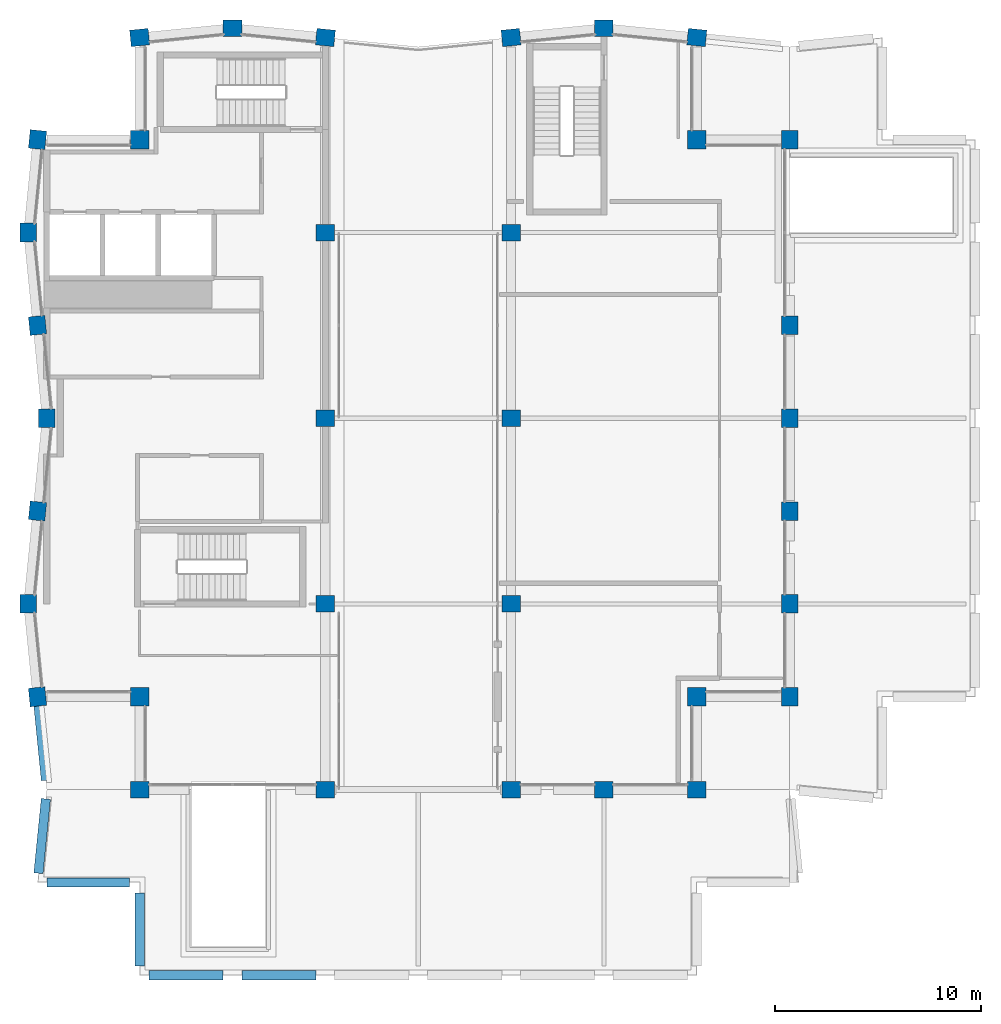
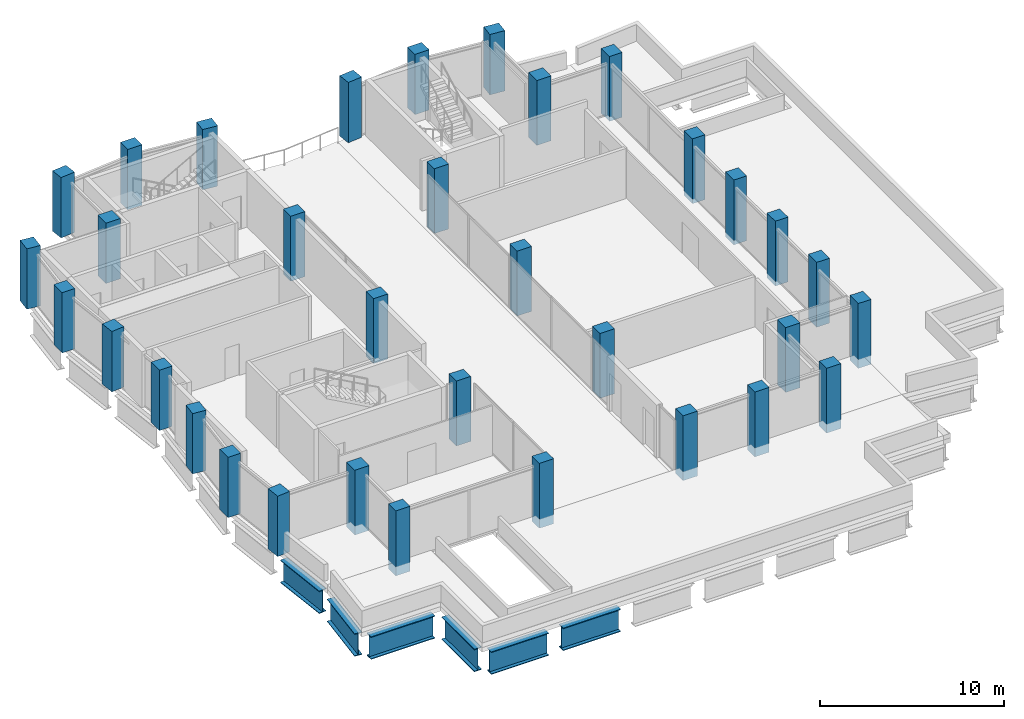
# One storey, part 1 of 14: 34 columns, 6 beams.
"""IFC4 building model written with IfcOpenShell, lengths in metres."""

from ifc_helpers import new_model, si_unit, direction, frame, origin, origin_2d, place, context, subcontext, project, spatial, rectangle, i_section, extrude, material, material_profile, profile_set, type_object, element, save


model = new_model("IFC4")

# Units and contexts
model_context = context("Model", 3, precision=1e-05, world=origin(), true_north=direction((0.0, 1.0)))
body_context = subcontext(model_context, "Body", "Model", "MODEL_VIEW")
ifc_project = project(units=[si_unit("LENGTHUNIT", "METRE"), si_unit("AREAUNIT", "SQUARE_METRE"), si_unit("VOLUMEUNIT", "CUBIC_METRE"), si_unit("PLANEANGLEUNIT", "RADIAN"), si_unit("MASSUNIT", "GRAM", prefix="KILO")], contexts=[model_context])

# Site, building, storey
site_placement = place(None, origin())
site = spatial("IfcSite", under=ifc_project, at=site_placement, CompositionType="ELEMENT")
building_placement = place(site_placement, origin())
building = spatial("IfcBuilding", under=site, at=building_placement, Name="Brondeck Convention Tower", CompositionType="ELEMENT")
storey_placement = place(building_placement, frame((0.0, 0.0, 282.800048828125)))
storey = spatial("IfcBuildingStorey", under=building, at=storey_placement, Name="L70", CompositionType="ELEMENT", Elevation=282.800048828125)

# Columns
ifc_material_1 = material(Name="Concrete C50/60", Category="concrete")
ifc_material_profile_1 = material_profile(ifc_material_1, rectangle(XDim=0.89990234375, YDim=0.89990234375, at=origin_2d()), Name="Corner column 900x900 Concrete C50/60")
ifc_profile_set_1 = profile_set([ifc_material_profile_1], Name="Concrete C50/60")
column_type_1 = type_object("IfcColumnType", Name="Corner column 900x900 Concrete C50/60", PredefinedType="COLUMN", material=ifc_profile_set_1)
column_1_placement = place(storey_placement, frame((4.5, 31.5, -0.300048828125), z_axis=(0.0, 0.0, 1.0), x_axis=(1.0, 0.0, 0.0)))
element("IfcColumn", 1, at=column_1_placement, inside=storey, type_object=column_type_1, Name="STR-COL-L70-NC-KSW", PredefinedType="COLUMN", context=body_context, shape_type="SweptSolid", body=[
    extrude(rectangle(XDim=0.89990234375, YDim=0.89990234375, at=origin_2d()), origin(), (0.0, 0.0, 1.0), 4.300048828125),
])
column_2_placement = place(storey_placement, frame((4.5, 58.5, 0.0), z_axis=(0.0, 0.0, 1.0), x_axis=(1.0, 0.0, 0.0)))
element("IfcColumn", 2, at=column_2_placement, inside=storey, type_object=column_type_1, Name="STR-COL-L70-NC-NW", PredefinedType="COLUMN", context=body_context, shape_type="SweptSolid", body=[
    extrude(rectangle(XDim=0.89990234375, YDim=0.89990234375, at=origin_2d()), origin(), (0.0, 0.0, 1.0), 4.0),
])
for number, where, z_axis, x_axis, name in (
    (3, (31.5, 31.5, -0.300048828125), (0.0, 0.0, 1.0), (1.0, 0.0, 0.0), "STR-COL-L70-NC-KSE"),
    (4, (31.5, 58.5, -0.300048828125), (0.0, 0.0, 1.0), (1.0, 0.0, 0.0), "STR-COL-L70-NC-KNE"),
):
    element("IfcColumn", number, at=place(storey_placement, frame(where, z_axis=z_axis, x_axis=x_axis)), inside=storey, type_object=column_type_1, Name=name, PredefinedType="COLUMN", context=body_context, shape_type="SweptSolid", body=[
        extrude(rectangle(XDim=0.89990234375, YDim=0.89990234375, at=origin_2d()), origin(), (0.0, 0.0, 1.0), 4.300048828125),
    ])
ifc_material_profile_2 = material_profile(ifc_material_1, rectangle(XDim=0.89990234375, YDim=0.800048828125, at=origin_2d()), Name="Crown pier 900x800 Concrete C50/60")
ifc_profile_set_2 = profile_set([ifc_material_profile_2], Name="Concrete C50/60")
column_type_2 = type_object("IfcColumnType", Name="Crown pier 900x800 Concrete C50/60", PredefinedType="COLUMN", material=ifc_profile_set_2)
for number, where, z_axis, x_axis, name in (
    (5, (4.5, 27.0, -0.300048828125), (0.0, 0.0, 1.0), (1.0, 0.0, 0.0), "STR-COL-L70-PC-K-S-01"),
    (6, (13.5, 27.0, -0.300048828125), (0.0, 0.0, 1.0), (1.0, 0.0, 0.0), "STR-COL-L70-PC-K-S-03"),
    (7, (13.5, 36.0, -0.300048828125), (0.0, 0.0, 1.0), (1.0, 0.0, 0.0), "STR-COL-L70-PC-SLOT-W-01"),
    (8, (13.5, 45.0, -0.300048828125), (0.0, 0.0, 1.0), (1.0, 0.0, 0.0), "STR-COL-L70-PC-SLOT-W-02"),
    (9, (13.5, 54.0, -0.300048828125), (0.0, 0.0, 1.0), (1.0, 0.0, 0.0), "STR-COL-L70-PC-SLOT-W-03"),
):
    element("IfcColumn", number, at=place(storey_placement, frame(where, z_axis=z_axis, x_axis=x_axis)), inside=storey, type_object=column_type_2, Name=name, PredefinedType="COLUMN", context=body_context, shape_type="SweptSolid", body=[
        extrude(rectangle(XDim=0.89990234375, YDim=0.800048828125, at=origin_2d()), origin(), (0.0, 0.0, 1.0), 4.300048828125),
    ])
for number, where, z_axis, x_axis, name in (
    (10, (13.5, 63.449951171875, 0.0), (0.0, 0.0, 1.0), (-0.995037178292, 0.0995038382, 0.0), "STR-COL-L70-PC-A-N-03"),
    (11, (9.0, 63.89990234375, 0.0), (0.0, 0.0, 1.0), (-1.0, 0.0, 0.0), "STR-COL-L70-PC-A-N-02"),
    (12, (4.5, 63.449951171875, 0.0), (0.0, 0.0, 1.0), (-0.995037178292, -0.0995038382, 0.0), "STR-COL-L70-PC-A-N-01"),
    (13, (-0.449951171875, 58.5, 0.0), (0.0, 0.0, 1.0), (-0.0995038382, -0.995037178292, 0.0), "STR-COL-L70-PC-B-W-01"),
    (14, (-0.89990234375, 54.0, 0.0), (0.0, 0.0, 1.0), (0.0, -1.0, 0.0), "STR-COL-L70-PC-B-W-02"),
    (15, (-0.449951171875, 49.5, 0.0), (0.0, 0.0, 1.0), (0.0995038382, -0.995037178292, 0.0), "STR-COL-L70-PC-B-W-03"),
    (16, (0.0, 45.0, 0.0), (0.0, 0.0, 1.0), (0.0, -1.0, 0.0), "STR-COL-L70-PC-B-W-04"),
    (17, (-0.449951171875, 40.5, 0.0), (0.0, 0.0, 1.0), (-0.0995038382, -0.995037178292, 0.0), "STR-COL-L70-PC-B-W-05"),
    (18, (-0.89990234375, 36.0, 0.0), (0.0, 0.0, 1.0), (0.0, -1.0, 0.0), "STR-COL-L70-PC-B-W-06"),
    (19, (-0.449951171875, 31.5, 0.0), (0.0, 0.0, 1.0), (0.0995038382, -0.995037178292, 0.0), "STR-COL-L70-PC-B-W-07"),
):
    element("IfcColumn", number, at=place(storey_placement, frame(where, z_axis=z_axis, x_axis=x_axis)), inside=storey, type_object=column_type_2, Name=name, PredefinedType="COLUMN", context=body_context, shape_type="SweptSolid", body=[
        extrude(rectangle(XDim=0.89990234375, YDim=0.800048828125, at=origin_2d()), origin(), (0.0, 0.0, 1.0), 4.0),
    ])
for number, where, z_axis, x_axis, name in (
    (20, (36.0, 31.5, -0.300048828125), (0.0, 0.0, 1.0), (0.0, 1.0, 0.0), "STR-COL-L70-PC-K-E-01"),
    (21, (36.0, 36.0, -0.300048828125), (0.0, 0.0, 1.0), (0.0, 1.0, 0.0), "STR-COL-L70-PC-K-E-02"),
    (22, (36.0, 40.5, -0.300048828125), (0.0, 0.0, 1.0), (0.0, 1.0, 0.0), "STR-COL-L70-PC-K-E-03"),
    (23, (36.0, 45.0, -0.300048828125), (0.0, 0.0, 1.0), (0.0, 1.0, 0.0), "STR-COL-L70-PC-K-E-04"),
    (24, (36.0, 49.5, -0.300048828125), (0.0, 0.0, 1.0), (0.0, 1.0, 0.0), "STR-COL-L70-PC-K-E-05"),
    (25, (36.0, 58.5, -0.300048828125), (0.0, 0.0, 1.0), (0.0, 1.0, 0.0), "STR-COL-L70-PC-K-E-07"),
):
    element("IfcColumn", number, at=place(storey_placement, frame(where, z_axis=z_axis, x_axis=x_axis)), inside=storey, type_object=column_type_2, Name=name, PredefinedType="COLUMN", context=body_context, shape_type="SweptSolid", body=[
        extrude(rectangle(XDim=0.89990234375, YDim=0.800048828125, at=origin_2d()), origin(), (0.0, 0.0, 1.0), 4.300048828125),
    ])
for number, where, z_axis, x_axis, name in (
    (26, (31.5, 63.449951171875, 0.0), (0.0, 0.0, 1.0), (-0.995037178292, 0.0995038382, 0.0), "STR-COL-L70-PC-A-N-07"),
    (27, (27.0, 63.89990234375, 0.0), (0.0, 0.0, 1.0), (-1.0, 0.0, 0.0), "STR-COL-L70-PC-A-N-06"),
    (28, (22.5, 63.449951171875, 0.0), (0.0, 0.0, 1.0), (-0.995037178292, -0.0995038382, 0.0), "STR-COL-L70-PC-A-N-05"),
):
    element("IfcColumn", number, at=place(storey_placement, frame(where, z_axis=z_axis, x_axis=x_axis)), inside=storey, type_object=column_type_2, Name=name, PredefinedType="COLUMN", context=body_context, shape_type="SweptSolid", body=[
        extrude(rectangle(XDim=0.89990234375, YDim=0.800048828125, at=origin_2d()), origin(), (0.0, 0.0, 1.0), 4.0),
    ])
for number, where, z_axis, x_axis, name in (
    (29, (22.5, 54.0, -0.300048828125), (0.0, 0.0, 1.0), (1.0, 0.0, 0.0), "STR-COL-L70-PC-SLOT-E-01"),
    (30, (22.5, 45.0, -0.300048828125), (0.0, 0.0, 1.0), (1.0, 0.0, 0.0), "STR-COL-L70-PC-SLOT-E-02"),
    (31, (22.5, 36.0, -0.300048828125), (0.0, 0.0, 1.0), (1.0, 0.0, 0.0), "STR-COL-L70-PC-SLOT-E-03"),
    (32, (22.5, 27.0, -0.300048828125), (0.0, 0.0, 1.0), (1.0, 0.0, 0.0), "STR-COL-L70-PC-K-S-01-22x27"),
    (33, (27.0, 27.0, -0.300048828125), (0.0, 0.0, 1.0), (1.0, 0.0, 0.0), "STR-COL-L70-PC-K-S-02"),
    (34, (31.5, 27.0, -0.300048828125), (0.0, 0.0, 1.0), (1.0, 0.0, 0.0), "STR-COL-L70-PC-K-S-03-32x27"),
):
    element("IfcColumn", number, at=place(storey_placement, frame(where, z_axis=z_axis, x_axis=x_axis)), inside=storey, type_object=column_type_2, Name=name, PredefinedType="COLUMN", context=body_context, shape_type="SweptSolid", body=[
        extrude(rectangle(XDim=0.89990234375, YDim=0.800048828125, at=origin_2d()), origin(), (0.0, 0.0, 1.0), 4.300048828125),
    ])

# Beams
ifc_material_2 = material(Name="Steel S460", Category="steel")
ifc_material_profile_3 = material_profile(ifc_material_2, i_section(OverallWidth=0.449951171875, OverallDepth=1.5, WebThickness=0.02490234375, FlangeThickness=0.044921875, at=origin_2d()), Name="PG 1500x450")
ifc_profile_set_3 = profile_set([ifc_material_profile_3], Name="Steel S460")
beam_type = type_object("IfcBeamType", Name="Crown frame Transfer girder PG 1500x450", PredefinedType="BEAM", material=ifc_profile_set_3)
for number, where, z_axis, x_axis, name in (
    (35, (13.050048828125, 18.0, -1.050048828125), (-1.0, 0.0, 0.0), (0.0, -1.0, 0.0), "Crown transfer girder PG-L70-S4-B-8"),
    (36, (8.550048828125, 18.0, -1.050048828125), (-1.0, 0.0, 0.0), (0.0, -1.0, 0.0), "Crown transfer girder PG-L70-S4-B-9"),
):
    element("IfcBeam", number, at=place(storey_placement, frame(where, z_axis=z_axis, x_axis=x_axis)), inside=storey, type_object=beam_type, Name=name, PredefinedType="BEAM", context=body_context, shape_type="SweptSolid", body=[
        extrude(i_section(OverallWidth=0.449951171875, OverallDepth=1.5, WebThickness=0.02490234375, FlangeThickness=0.044921875, at=origin_2d()), origin(), (0.0, 0.0, 1.0), 3.60009765625),
    ])
beam_1_placement = place(storey_placement, frame((4.5, 18.449951171875, -1.050048828125), z_axis=(0.0, 1.0, 0.0), x_axis=(-1.0, 0.0, 0.0)))
element("IfcBeam", 37, at=beam_1_placement, inside=storey, type_object=beam_type, Name="Crown transfer girder PG-L70-S4-B-10", PredefinedType="BEAM", context=body_context, shape_type="SweptSolid", body=[
    extrude(i_section(OverallWidth=0.449951171875, OverallDepth=1.5, WebThickness=0.02490234375, FlangeThickness=0.044921875, at=origin_2d()), origin(), (0.0, 0.0, 1.0), 3.550048828125),
])
beam_2_placement = place(storey_placement, frame((4.0, 22.5, -1.050048828125), z_axis=(-1.0, 0.0, 0.0), x_axis=(0.0, -1.0, 0.0)))
element("IfcBeam", 38, at=beam_2_placement, inside=storey, type_object=beam_type, Name="Crown transfer girder PG-L70-S4-B-11", PredefinedType="BEAM", context=body_context, shape_type="SweptSolid", body=[
    extrude(i_section(OverallWidth=0.449951171875, OverallDepth=1.5, WebThickness=0.02490234375, FlangeThickness=0.044921875, at=origin_2d()), origin(), (0.0, 0.0, 1.0), 3.997802734375),
])
for number, where, z_axis, x_axis, name in (
    (39, (-0.4052734375, 22.94775390625, -1.050048828125), (0.099537103649, 0.995033851182, 0.0), (-0.995033851182, 0.099537103649, 0.0), "Crown transfer girder PG-L70-S4-B-12"),
    (40, (-0.044921875, 27.449951171875, -1.050048828125), (-0.099537103649, 0.995033851182, 0.0), (-0.995033851182, -0.099537103649, 0.0), "Crown transfer girder PG-L70-S4-C1-1"),
):
    element("IfcBeam", number, at=place(storey_placement, frame(where, z_axis=z_axis, x_axis=x_axis)), inside=storey, type_object=beam_type, Name=name, PredefinedType="BEAM", context=body_context, shape_type="SweptSolid", body=[
        extrude(i_section(OverallWidth=0.449951171875, OverallDepth=1.5, WebThickness=0.02490234375, FlangeThickness=0.044921875, at=origin_2d()), origin(), (0.0, 0.0, 1.0), 3.620361328125),
    ])

save(model, "model.ifc")
